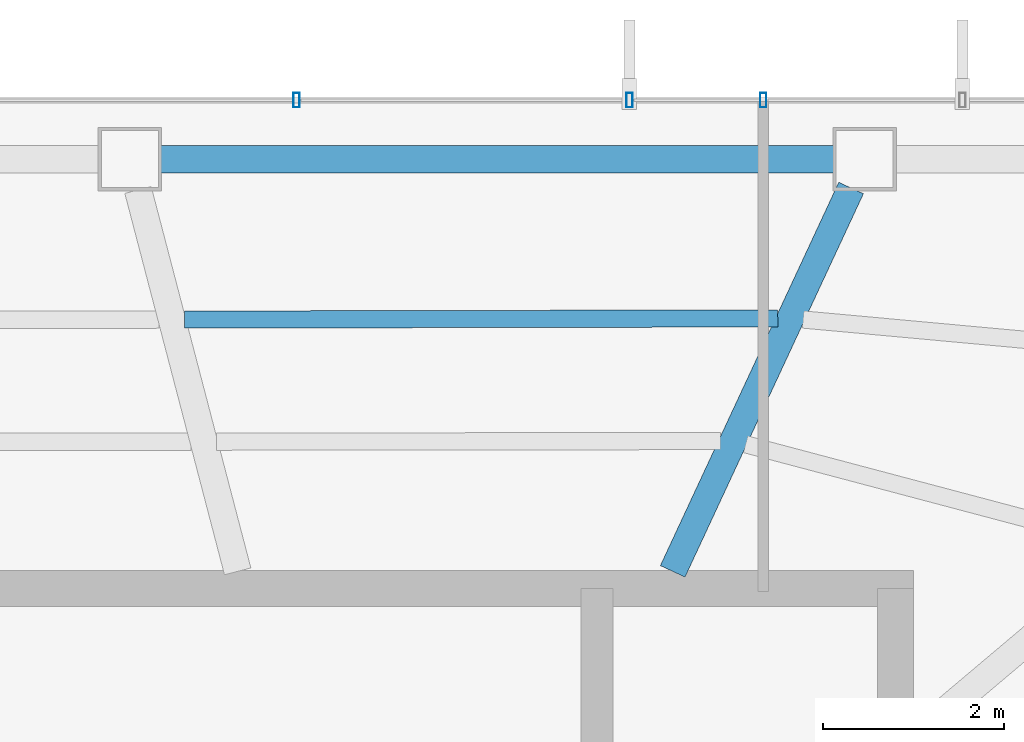
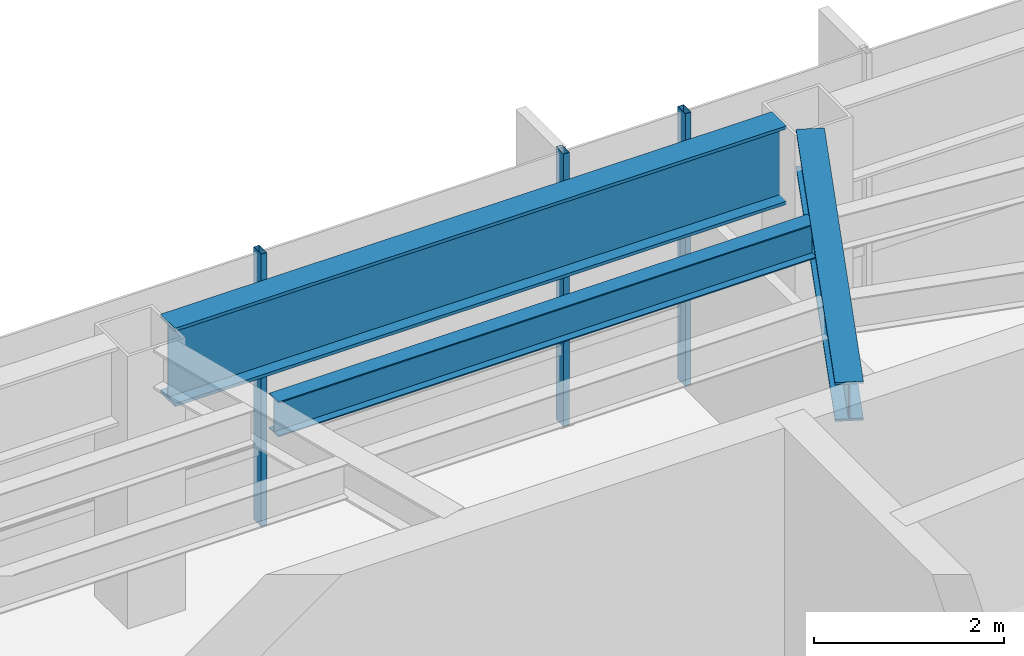
# One storey, part 16 of 28: 3 beams, 3 members, 1 element without a shape of its own.
"""IFC4 building model written with IfcOpenShell, lengths in metres."""

import ifcopenshell
import ifcopenshell.guid

model = None  # the IFC model being written
_history = None  # IfcOwnerHistory: only IFC2X3 demands one
_inside = {}  # id of a spatial element -> (the spatial element, [elements in it])
_under = {}  # id of a project, library or spatial element -> (it, [spatial elements below it])
_declared = {}  # id of a project -> (the project, [libraries it declares])
_typed = {}  # id of a type object -> (the type object, [elements of that type])
_made_of = {}  # id of a material, layer set ... -> (it, [elements and type objects made of it])


def new_model(schema):
    """Start an empty IFC model of exactly this schema.

    Asked for "IFC4X3", IfcOpenShell would pick the latest addendum, in which some entities
    have other attributes; the version numbers below select the first issue.
    IFC2X3 requires an IfcOwnerHistory on every rooted entity: one is made here for all.
    """
    global model, _history
    if schema == "IFC4X3":
        model = ifcopenshell.file(schema_version=(4, 3, 0, 0))
    else:
        model = ifcopenshell.file(schema=schema)
    _inside.clear()
    _under.clear()
    _declared.clear()
    _typed.clear()
    _made_of.clear()
    _history = None
    if model.schema == "IFC2X3":
        org = make("IfcOrganization", Name="unknown")
        user = make(
            "IfcPersonAndOrganization",
            ThePerson=make("IfcPerson", FamilyName="unknown"),
            TheOrganization=org,
        )
        app = make(
            "IfcApplication",
            ApplicationDeveloper=org,
            Version="unknown",
            ApplicationFullName="unknown",
            ApplicationIdentifier="unknown",
        )
        _history = make(
            "IfcOwnerHistory",
            OwningUser=user,
            OwningApplication=app,
            ChangeAction="ADDED",
            CreationDate=0,
        )
    return model


def make(cls, **values):
    """One entity of the class cls with the attributes given. An attribute that is None is left unset."""
    return model.create_entity(
        cls, **{name: value for name, value in values.items() if value is not None}
    )


def rooted(cls, **values):
    """An entity with a GlobalId (a new one), such as an element, a storey or a relation."""
    return make(cls, GlobalId=ifcopenshell.guid.new(), OwnerHistory=_history, **values)


def si_unit(unit_type, name, prefix=None):
    """IfcSIUnit, for example si_unit("LENGTHUNIT", "METRE", prefix="MILLI")."""
    return make("IfcSIUnit", UnitType=unit_type, Prefix=prefix, Name=name)


def assignment(units):
    """IfcUnitAssignment: the units of a project."""
    return None if units is None else make("IfcUnitAssignment", Units=units)


def point(xyz):
    """IfcCartesianPoint."""
    return None if xyz is None else make("IfcCartesianPoint", Coordinates=xyz)


def direction(xyz):
    """IfcDirection."""
    return None if xyz is None else make("IfcDirection", DirectionRatios=xyz)


def frame(location, z_axis=None, x_axis=None):
    """IfcAxis2Placement3D, a coordinate frame: its origin and axes. An axis left out is left unset."""
    return make(
        "IfcAxis2Placement3D",
        Location=point(location),
        Axis=direction(z_axis),
        RefDirection=direction(x_axis),
    )


def frame_2d(location, x_axis=None):
    """IfcAxis2Placement2D, a coordinate frame in the plane: its origin and x axis."""
    return make(
        "IfcAxis2Placement2D", Location=point(location), RefDirection=direction(x_axis)
    )


def origin():
    """The frame at (0, 0, 0) with its axes left unset."""
    return frame((0.0, 0.0, 0.0))


def origin_2d():
    """The frame at (0, 0) in the plane with its x axis left unset."""
    return frame_2d((0.0, 0.0))


def place(relative_to, where):
    """IfcLocalPlacement: puts the frame where relative to a parent placement (None: the world)."""
    return make(
        "IfcLocalPlacement", PlacementRelTo=relative_to, RelativePlacement=where
    )


def context(
    kind, dimensions, precision=None, world=None, true_north=None, identifier=None
):
    """IfcGeometricRepresentationContext, for example the 3D "Model" context."""
    return make(
        "IfcGeometricRepresentationContext",
        ContextIdentifier=identifier,
        ContextType=kind,
        CoordinateSpaceDimension=dimensions,
        Precision=precision,
        WorldCoordinateSystem=world,
        TrueNorth=true_north,
    )


def subcontext(parent, identifier, kind, view, scale=None):
    """IfcGeometricRepresentationSubContext, for example "Body" below "Model"."""
    return make(
        "IfcGeometricRepresentationSubContext",
        ContextIdentifier=identifier,
        ContextType=kind,
        ParentContext=parent,
        TargetScale=scale,
        TargetView=view,
    )


def project(units=None, contexts=None):
    """IfcProject with its units and contexts."""
    return rooted(
        "IfcProject",
        Name="project",
        RepresentationContexts=contexts,
        UnitsInContext=assignment(units),
    )


def spatial(cls, under=None, at=None, **own):
    """A site, building, storey or space (cls), placed at a placement, below another one or the project."""
    s = rooted(cls, ObjectPlacement=at, **own)
    if under is not None:
        _under.setdefault(under.id(), (under, []))[1].append(s)
    return s


def profile(cls, at=None, kind="AREA", **sizes):
    """A parametric profile (cls). Its sizes go by their IFC names, for example OverallWidth=200.0."""
    return make(cls, ProfileType=kind, Position=at, **sizes)


def hollow_rectangle(**sizes):
    """IfcRectangleHollowProfileDef."""
    return profile("IfcRectangleHollowProfileDef", **sizes)


def i_section(**sizes):
    """IfcIShapeProfileDef."""
    return profile("IfcIShapeProfileDef", **sizes)


def extrude(swept, where, along, depth):
    """IfcExtrudedAreaSolid: the profile swept, set in the frame where, extruded along a direction by depth."""
    return make(
        "IfcExtrudedAreaSolid",
        SweptArea=swept,
        Position=where,
        ExtrudedDirection=direction(along),
        Depth=depth,
    )


def shape(context_of_items, identifier, shape_type, items):
    """IfcShapeRepresentation: the items that make up one representation, for example the "Body"."""
    return make(
        "IfcShapeRepresentation",
        ContextOfItems=context_of_items,
        RepresentationIdentifier=identifier,
        RepresentationType=shape_type,
        Items=items,
    )


def material(Name=None, Category=None):
    """IfcMaterial."""
    return make("IfcMaterial", Name=Name, Category=Category)


def layer(
    of_material, thickness, ventilated=None, Name=None, Category=None, Priority=None
):
    """IfcMaterialLayer: one layer of a wall or slab, of a material (None: an air gap)."""
    return make(
        "IfcMaterialLayer",
        Material=of_material,
        LayerThickness=thickness,
        IsVentilated=ventilated,
        Name=Name,
        Category=Category,
        Priority=Priority,
    )


def layer_set(layers, Name=None):
    """IfcMaterialLayerSet."""
    return make("IfcMaterialLayerSet", MaterialLayers=layers, LayerSetName=Name)


def material_profile(
    of_material, cross_section, Name=None, Category=None, Priority=None
):
    """IfcMaterialProfile: a cross section and its material."""
    return make(
        "IfcMaterialProfile",
        Name=Name,
        Material=of_material,
        Profile=cross_section,
        Priority=Priority,
        Category=Category,
    )


def profile_set(profiles, Name=None, composite=None):
    """IfcMaterialProfileSet."""
    return make(
        "IfcMaterialProfileSet",
        Name=Name,
        MaterialProfiles=profiles,
        CompositeProfile=composite,
    )


def made_of(thing, what):
    """Note that an element or type object is made of a material, layer set ...; save() writes the relation."""
    if what is not None:
        _made_of.setdefault(what.id(), (what, []))[1].append(thing)
    return thing


def type_object(cls, material=None, **own):
    """A type object (cls), such as IfcWallType, which elements share."""
    return made_of(rooted(cls, **own), material)


def element(
    cls,
    number,
    at=None,
    inside=None,
    cuts=None,
    type_object=None,
    material=None,
    context=None,
    identifier="Body",
    shape_type=None,
    held_by="IfcProductDefinitionShape",
    body=None,
    shapes=None,
    **own,
):
    """One element of the class cls, such as IfcWall. Its Tag is "e" and its number.

    at: its placement. inside: the storey or other place that contains it. cuts: it is an
    opening in that element (IfcRelVoidsElement). A single representation is given by context,
    identifier, shape_type and body (its items); several are given by shapes. held_by: the class
    of the entity that holds the representations. save() writes the other relations.
    """
    e = rooted(cls, Tag="e%d" % number, ObjectPlacement=at, **own)
    if body is not None:
        shapes = [shape(context, identifier, shape_type, body)]
    if shapes is not None:
        e.Representation = make(held_by, Representations=shapes)
    if inside is not None:
        _inside.setdefault(inside.id(), (inside, []))[1].append(e)
    if cuts is not None:
        rooted(
            "IfcRelVoidsElement", RelatingBuildingElement=cuts, RelatedOpeningElement=e
        )
    if type_object is not None:
        _typed.setdefault(type_object.id(), (type_object, []))[1].append(e)
    return made_of(e, material)


def aggregate(whole, parts):
    """IfcRelAggregates: a whole, such as a stair, and the parts it consists of."""
    return rooted("IfcRelAggregates", RelatingObject=whole, RelatedObjects=parts)


def save(model, path):
    """Write the relations noted so far, then the file.

    IfcRelAggregates (storeys below a building ...), IfcRelContainedInSpatialStructure (elements
    in a storey), IfcRelDefinesByType, IfcRelAssociatesMaterial and IfcRelDeclares: one each for
    every whole, place, type object, material and project.
    """
    for whole, parts in _under.values():
        aggregate(whole, parts)
    for where, things in _inside.values():
        rooted(
            "IfcRelContainedInSpatialStructure",
            RelatedElements=things,
            RelatingStructure=where,
        )
    for kind, things in _typed.values():
        rooted("IfcRelDefinesByType", RelatedObjects=things, RelatingType=kind)
    for what, things in _made_of.values():
        rooted("IfcRelAssociatesMaterial", RelatedObjects=things, RelatingMaterial=what)
    for by, libraries in _declared.values():
        rooted("IfcRelDeclares", RelatingContext=by, RelatedDefinitions=libraries)
    model.write(path)


model = new_model("IFC4")

# Units and contexts
model_context = context("Model", 3, precision=1e-05, world=origin(), true_north=direction((0.0, 1.0)))
body_context = subcontext(model_context, "Body", "Model", "MODEL_VIEW")
ifc_project = project(units=[si_unit("LENGTHUNIT", "METRE"), si_unit("AREAUNIT", "SQUARE_METRE"), si_unit("VOLUMEUNIT", "CUBIC_METRE"), si_unit("PLANEANGLEUNIT", "RADIAN"), si_unit("MASSUNIT", "GRAM", prefix="KILO")], contexts=[model_context])

# Site, building, storey
site_placement = place(None, origin())
site = spatial("IfcSite", under=ifc_project, at=site_placement, CompositionType="ELEMENT")
building_placement = place(site_placement, origin())
building = spatial("IfcBuilding", under=site, at=building_placement, Name="Zarrinselat Tower", CompositionType="ELEMENT")
storey_placement = place(building_placement, frame((0.0, 0.0, 164.56005859375)))
storey = spatial("IfcBuildingStorey", under=building, at=storey_placement, Name="L40", CompositionType="ELEMENT", Elevation=164.56005859375)

# Beams
ifc_material_1 = material(Name="Steel S355J2", Category="steel")
ifc_material_profile_1 = material_profile(ifc_material_1, i_section(OverallWidth=0.300048828125, OverallDepth=0.5, WebThickness=0.014404296875, FlangeThickness=0.028076171875, at=origin_2d()), Name="HEB 500")
ifc_profile_set_1 = profile_set([ifc_material_profile_1], Name="Steel S355J2")
beam_type_1 = type_object("IfcBeamType", Name="BM-HEB500", PredefinedType="BEAM", material=ifc_profile_set_1)
beam_1_placement = place(storey_placement, frame((45.800048828125, 43.639892578125, 3.25), z_axis=(0.421962844201, 0.90661312483, 0.0), x_axis=(-0.90661312483, 0.421962844201, 0.0)))
element("IfcBeam", 1, at=beam_1_placement, inside=storey, type_object=beam_type_1, Name="L40 Radial Primary Girder RG02", PredefinedType="BEAM", context=body_context, shape_type="SweptSolid", body=[
    extrude(i_section(OverallWidth=0.300048828125, OverallDepth=0.5, WebThickness=0.014404296875, FlangeThickness=0.028076171875, at=origin_2d()), origin(), (0.0, 0.0, 1.0), 4.665771484375),
])
ifc_material_2 = material(Name="Steel S460M", Category="steel")
ifc_material_profile_2 = material_profile(ifc_material_2, i_section(OverallWidth=0.302001953125, OverallDepth=1.008056640625, WebThickness=0.02099609375, FlangeThickness=0.0400390625, at=origin_2d()), Name="HEM 1000")
ifc_profile_set_2 = profile_set([ifc_material_profile_2], Name="Steel S460M")
beam_type_2 = type_object("IfcBeamType", Name="BM-HEM1000", PredefinedType="BEAM", material=ifc_profile_set_2)
beam_2_placement = place(storey_placement, frame((40.149169921875, 48.18896484375, 2.995849609375), z_axis=(1.0, 0.0, 0.0), x_axis=(0.0, 1.0, 0.0)))
element("IfcBeam", 2, at=beam_2_placement, inside=storey, type_object=beam_type_2, Name="L40 Perimeter Spandrel Girder SP02", PredefinedType="BEAM", context=body_context, shape_type="SweptSolid", body=[
    extrude(i_section(OverallWidth=0.302001953125, OverallDepth=1.008056640625, WebThickness=0.02099609375, FlangeThickness=0.0400390625, at=origin_2d()), origin(), (0.0, 0.0, 1.0), 7.43017578125),
])
ifc_material_3 = material(Name="Steel S355J2", Category="steel")
ifc_material_profile_3 = material_profile(ifc_material_3, i_section(OverallWidth=0.18994140625, OverallDepth=0.449951171875, WebThickness=0.009521484375, FlangeThickness=0.0146484375, at=origin_2d()), Name="IPE 450")
ifc_profile_set_3 = profile_set([ifc_material_profile_3], Name="Steel S355J2")
beam_type_3 = type_object("IfcBeamType", Name="BM-IPE450", PredefinedType="JOIST", material=ifc_profile_set_3)
beam_3_placement = place(storey_placement, frame((40.4140625, 46.417724609375, 3.27490234375), z_axis=(0.999997818521, 0.002088768289, 0.0), x_axis=(-0.002088768289, 0.999997818521, 0.0)))
element("IfcBeam", 3, at=beam_3_placement, inside=storey, type_object=beam_type_3, Name="L40 Composite Floor Joist 7-1", PredefinedType="JOIST", context=body_context, shape_type="SweptSolid", body=[
    extrude(i_section(OverallWidth=0.18994140625, OverallDepth=0.449951171875, WebThickness=0.009521484375, FlangeThickness=0.0146484375, at=origin_2d()), origin(), (0.0, 0.0, 1.0), 6.54541015625),
])

# Curtain wall, members
ifc_material_4 = material(Name="Extruded Aluminium Alloy EN AW-6063 T6", Category="aluminium")
ifc_layer = layer(ifc_material_4, 0.175048828125)
ifc_layer_set = layer_set([ifc_layer], Name="Extruded Aluminium Alloy EN AW-6063 T6")
curtain_wall_type = type_object("IfcCurtainWallType", Name="CWS-HTL", PredefinedType="NOTDEFINED", material=ifc_layer_set)
curtain_wall_placement = place(storey_placement, origin())
curtain_wall = element("IfcCurtainWall", 4, at=curtain_wall_placement, inside=storey, type_object=curtain_wall_type, Name="L40 Unitised Curtain Wall CW-L40-E01", PredefinedType="NOTDEFINED")
ifc_material_5 = material(Name="Extruded Aluminium Alloy EN AW-6063 T6", Category="aluminium")
ifc_material_profile_4 = material_profile(ifc_material_5, hollow_rectangle(XDim=0.070068359375, YDim=0.159912109375, WallThickness=0.00390625, at=origin_2d()), Name="RHS 160x70x4")
ifc_profile_set_4 = profile_set([ifc_material_profile_4], Name="Extruded Aluminium Alloy EN AW-6063 T6")
member_type = type_object("IfcMemberType", Name="MEM-CW-MUL2", PredefinedType="MULLION", material=ifc_profile_set_4)
member_1_placement = place(storey_placement, frame((46.800048828125, 48.8388671875, 0.0), z_axis=(0.0, 0.0, 1.0), x_axis=(-1.0, 0.0, 0.0)))
member_1 = element("IfcMember", 5, at=member_1_placement, type_object=member_type, Name="CW-L40-E01 Mullion 4", PredefinedType="MULLION", context=body_context, shape_type="SweptSolid", body=[
    extrude(hollow_rectangle(XDim=0.070068359375, YDim=0.159912109375, WallThickness=0.00390625, at=origin_2d()), origin(), (0.0, 0.0, 1.0), 3.5),
])
member_2_placement = place(storey_placement, frame((45.322998046875, 48.8388671875, 0.0), z_axis=(0.0, 0.0, 1.0), x_axis=(-1.0, 0.0, 0.0)))
member_2 = element("IfcMember", 6, at=member_2_placement, type_object=member_type, Name="CW-L40-E01 Mullion 5", PredefinedType="MULLION", context=body_context, shape_type="SweptSolid", body=[
    extrude(hollow_rectangle(XDim=0.070068359375, YDim=0.159912109375, WallThickness=0.00390625, at=origin_2d()), origin(), (0.0, 0.0, 1.0), 3.5),
])
member_3_placement = place(storey_placement, frame((41.648193359375, 48.8388671875, 0.0), z_axis=(0.0, 0.0, 1.0), x_axis=(-1.0, 0.0, 0.0)))
member_3 = element("IfcMember", 7, at=member_3_placement, type_object=member_type, Name="CW-L40-E01 Mullion 6", PredefinedType="MULLION", context=body_context, shape_type="SweptSolid", body=[
    extrude(hollow_rectangle(XDim=0.070068359375, YDim=0.159912109375, WallThickness=0.00390625, at=origin_2d()), origin(), (0.0, 0.0, 1.0), 3.5),
])
aggregate(curtain_wall, [member_1, member_2, member_3])

save(model, "model.ifc")
